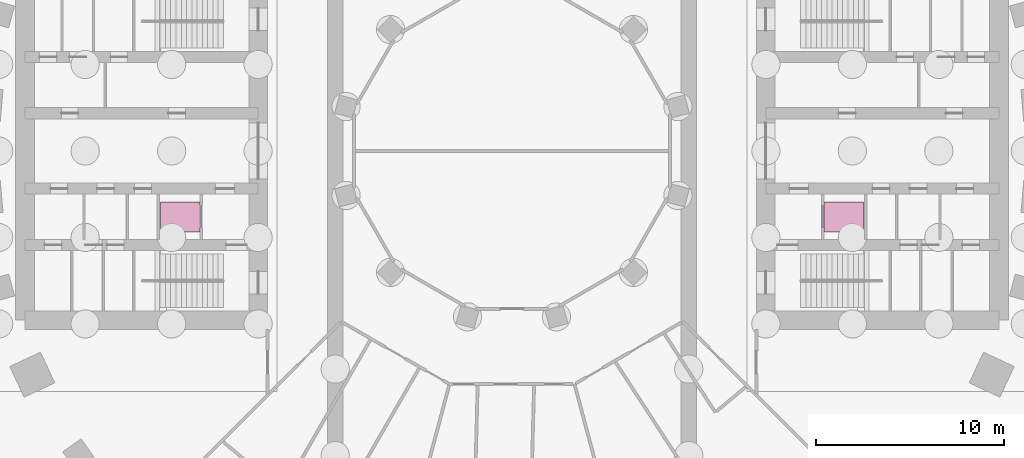
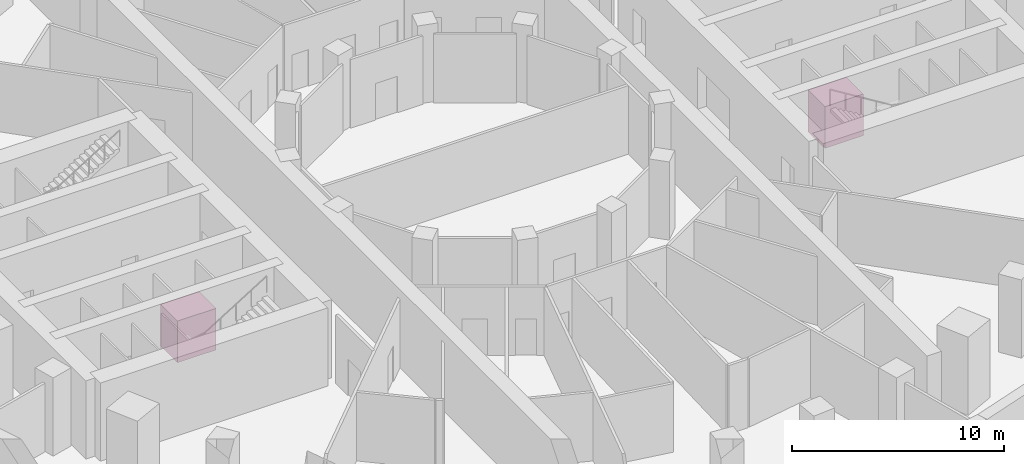
# One storey, part 10 of 10: 2 transport elements.
"""IFC4 building model written with IfcOpenShell, lengths in metres."""

from ifc_helpers import new_model, si_unit, direction, frame, origin, origin_2d, place, context, subcontext, project, spatial, rectangle, extrude, material, type_object, element, save


model = new_model("IFC4")

# Units and contexts
model_context = context("Model", 3, precision=1e-05, world=origin(), true_north=direction((0.0, 1.0)))
body_context = subcontext(model_context, "Body", "Model", "MODEL_VIEW")
ifc_project = project(units=[si_unit("LENGTHUNIT", "METRE"), si_unit("AREAUNIT", "SQUARE_METRE"), si_unit("VOLUMEUNIT", "CUBIC_METRE"), si_unit("PLANEANGLEUNIT", "RADIAN"), si_unit("MASSUNIT", "GRAM", prefix="KILO")], contexts=[model_context])

# Site, building, storey
site_placement = place(None, origin())
site = spatial("IfcSite", under=ifc_project, at=site_placement, CompositionType="ELEMENT")
building_placement = place(site_placement, origin())
building = spatial("IfcBuilding", under=site, at=building_placement, Name="Saqina Gate Tower", CompositionType="ELEMENT")
storey_placement = place(building_placement, frame((0.0, 0.0, -9.0)))
storey = spatial("IfcBuildingStorey", under=building, at=storey_placement, Name="B2", CompositionType="ELEMENT", Elevation=-9.0)

# Transport elements
ifc_material = material(Name="Stainless steel", Category="steel")
transport_element_type = type_object("IfcTransportElementType", Name="FIRE-FIGHTING LIFT", PredefinedType="ELEVATOR", material=ifc_material)
for number, where, z_axis, x_axis, name in (
    (1, (17.639892578125, -3.5, 0.0), (0.0, 0.0, 1.0), (1.0, 0.0, 0.0), "FIRE-FIGHTING LIFT FF1"),
    (2, (-17.639892578125, -3.5, 0.0), (0.0, 0.0, 1.0), (1.0, 0.0, 0.0), "FIRE-FIGHTING LIFT FF2"),
):
    element("IfcTransportElement", number, at=place(storey_placement, frame(where, z_axis=z_axis, x_axis=x_axis)), inside=storey, type_object=transport_element_type, Name=name, PredefinedType="ELEVATOR", context=body_context, shape_type="SweptSolid", body=[
        extrude(rectangle(XDim=2.10009765625, YDim=1.60009765625, at=origin_2d()), origin(), (0.0, 0.0, 1.0), 2.39990234375),
    ])

save(model, "model.ifc")
